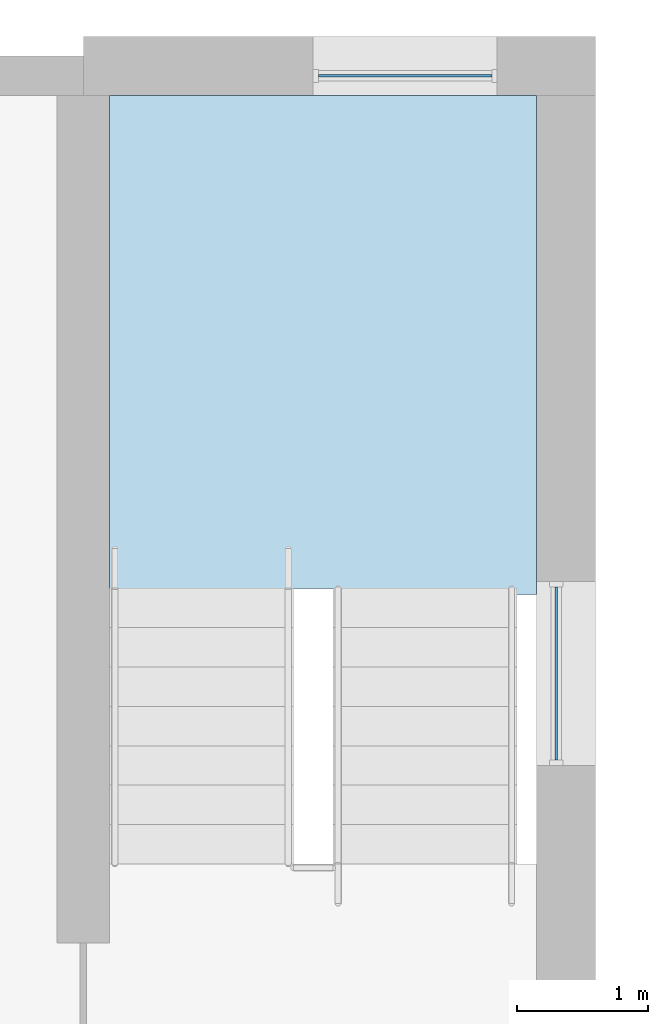
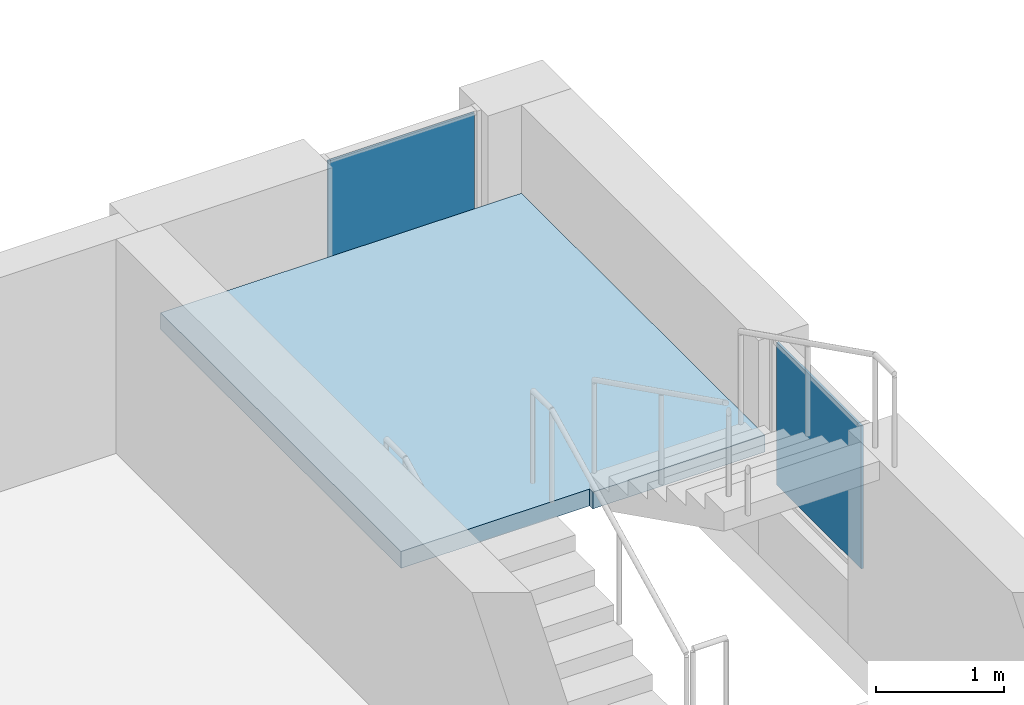
# One storey, part 27 of 48: 2 plates, 1 slab, 3 elements without a shape of their own.
"""IFC4 building model written with IfcOpenShell, lengths in metres."""

from ifc_helpers import new_model, si_unit, direction, frame, origin, origin_2d, place, context, subcontext, project, spatial, polyline, rectangle, outline, extrude, material, layer, layer_set, type_object, element, aggregate, save


model = new_model("IFC4")

# Units and contexts
model_context = context("Model", 3, precision=1e-05, world=origin(), true_north=direction((0.0, 1.0)))
body_context = subcontext(model_context, "Body", "Model", "MODEL_VIEW")
ifc_project = project(units=[si_unit("LENGTHUNIT", "METRE"), si_unit("AREAUNIT", "SQUARE_METRE"), si_unit("VOLUMEUNIT", "CUBIC_METRE"), si_unit("PLANEANGLEUNIT", "RADIAN"), si_unit("MASSUNIT", "GRAM", prefix="KILO")], contexts=[model_context])

# Site, building, storey
site_placement = place(None, origin())
site = spatial("IfcSite", under=ifc_project, at=site_placement, CompositionType="ELEMENT")
building_placement = place(site_placement, origin())
building = spatial("IfcBuilding", under=site, at=building_placement, Name="Yavir Park General Hospital", CompositionType="ELEMENT")
storey_placement = place(building_placement, frame((0.0, 0.0, 12.89990234375)))
storey = spatial("IfcBuildingStorey", under=building, at=storey_placement, Name="I02", CompositionType="ELEMENT", Elevation=12.89990234375)

# Stair, slab
ifc_material_1 = material(Name="Concrete C30/37", Category="concrete")
stair_type = type_object("IfcStairType", Name="Patient escape stair, 16 risers of 150 mm, 1400 mm flights", PredefinedType="HALF_TURN_STAIR", material=ifc_material_1)
stair_placement = place(storey_placement, origin())
stair = element("IfcStair", 1, at=stair_placement, inside=storey, type_object=stair_type, Name="Stair SW3, I02 to L03", PredefinedType="HALF_TURN_STAIR")
ifc_material_2 = material(Name="Concrete C30/37", Category="concrete")
ifc_layer_1 = layer(ifc_material_2, 0.159912109375)
ifc_layer_set_1 = layer_set([ifc_layer_1], Name="Concrete C30/37")
slab_type = type_object("IfcSlabType", Name="Patient escape stair half landing, reinforced concrete 160 mm", PredefinedType="LANDING", material=ifc_layer_set_1)
slab_placement = place(storey_placement, frame((0.0, 0.0, 1.0400390625)))
slab = element("IfcSlab", 2, at=slab_placement, type_object=slab_type, Name="SW3 landing 1", PredefinedType="LANDING", context=body_context, shape_type="SweptSolid", body=[
    extrude(outline(polyline([(21.800048828125, 113.698486328125), (21.800048828125, 117.449951171875), (25.050048828125, 117.449951171875), (25.050048828125, 113.64990234375), (23.5, 113.64990234375), (23.5, 113.698486328125), (21.800048828125, 113.698486328125)])), origin(), (0.0, 0.0, 1.0), 0.16015625),
])
aggregate(stair, [slab])

# Curtain wall, plate
ifc_material_3 = material(Name="Aluminium curtain wall frame with insulated glazing", Category="aluminium")
curtain_wall_type = type_object("IfcCurtainWallType", Name="Stair light slot, interstitial floor, 1440 high, 1400 module", PredefinedType="NOTDEFINED", material=ifc_material_3)
curtain_wall_1_placement = place(storey_placement, origin())
curtain_wall_1 = element("IfcCurtainWall", 3, at=curtain_wall_1_placement, inside=storey, type_object=curtain_wall_type, Name="CW12 I02-007", PredefinedType="NOTDEFINED")
ifc_material_4 = material(Name="Single glazed toughened unit 20 mm")
ifc_layer_2 = layer(ifc_material_4, 0.02001953125)
ifc_layer_set_2 = layer_set([ifc_layer_2], Name="Single glazed toughened unit 20 mm")
plate_type = type_object("IfcPlateType", Name="Stair light slot, interstitial floor, 1440 high panel 20", PredefinedType="CURTAIN_PANEL", material=ifc_layer_set_2)
plate_1_placement = place(storey_placement, frame((24.050048828125, 117.60009765625, 0.64013671875), z_axis=(0.0, 0.0, 1.0), x_axis=(1.0, 0.0, 0.0)))
plate_1 = element("IfcPlate", 4, at=plate_1_placement, type_object=plate_type, Name="CW12 panel 1.1", PredefinedType="CURTAIN_PANEL", context=body_context, shape_type="SweptSolid", body=[
    extrude(rectangle(XDim=1.320068359375, YDim=0.02001953125, at=origin_2d()), origin(), (0.0, 0.0, 1.0), 1.360107421875),
])
aggregate(curtain_wall_1, [plate_1])

curtain_wall_2_placement = place(storey_placement, origin())
curtain_wall_2 = element("IfcCurtainWall", 5, at=curtain_wall_2_placement, inside=storey, type_object=curtain_wall_type, Name="CW12 I02-011", PredefinedType="NOTDEFINED")
plate_2_placement = place(storey_placement, frame((25.199951171875, 113.050048828125, 0.64013671875), z_axis=(0.0, 0.0, 1.0), x_axis=(0.0, 1.0, 0.0)))
plate_2 = element("IfcPlate", 6, at=plate_2_placement, type_object=plate_type, Name="CW12 panel 1.1", PredefinedType="CURTAIN_PANEL", context=body_context, shape_type="SweptSolid", body=[
    extrude(rectangle(XDim=1.320068359375, YDim=0.02001953125, at=origin_2d()), origin(), (0.0, 0.0, 1.0), 1.360107421875),
])
aggregate(curtain_wall_2, [plate_2])

save(model, "model.ifc")
